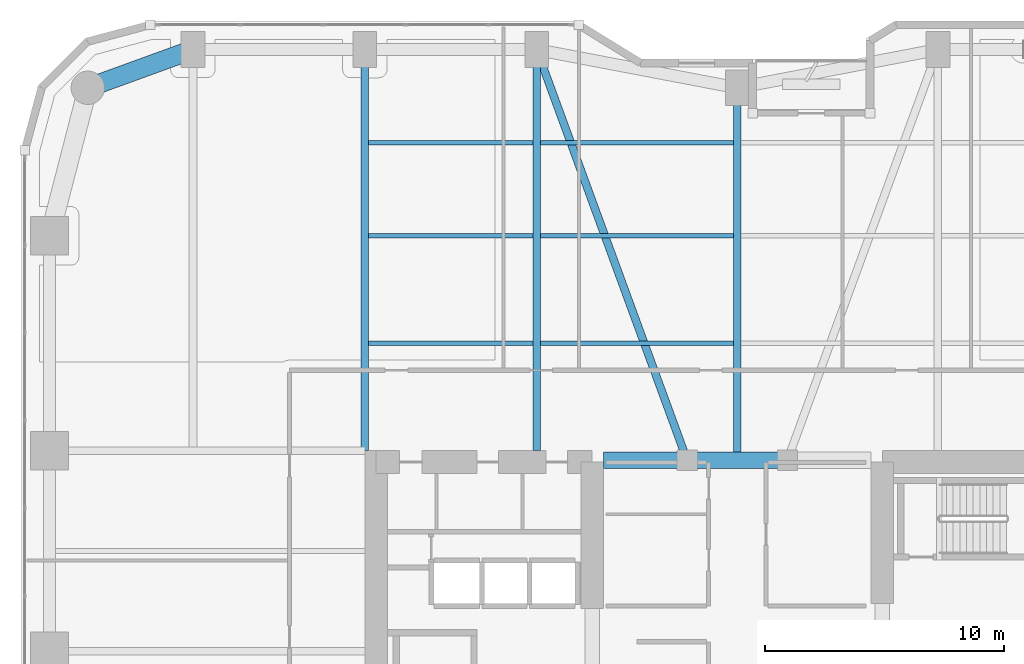
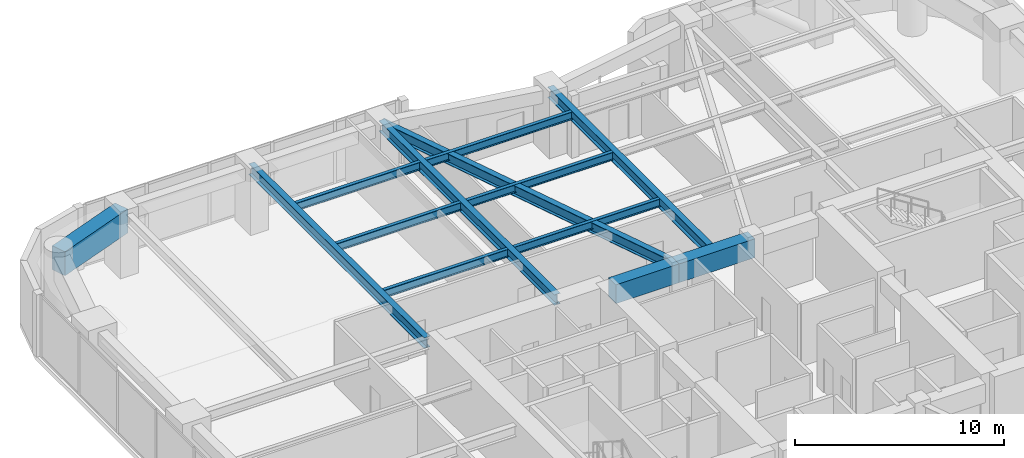
# One storey, part 12 of 24: 13 beams.
"""IFC4 building model written with IfcOpenShell, lengths in metres."""

from ifc_helpers import new_model, si_unit, direction, frame, origin, origin_2d, place, context, subcontext, project, spatial, rectangle, i_section, extrude, material, material_profile, profile_set, type_object, element, save


model = new_model("IFC4")

# Units and contexts
model_context = context("Model", 3, precision=1e-05, world=origin(), true_north=direction((0.0, 1.0)))
body_context = subcontext(model_context, "Body", "Model", "MODEL_VIEW")
ifc_project = project(units=[si_unit("LENGTHUNIT", "METRE"), si_unit("AREAUNIT", "SQUARE_METRE"), si_unit("VOLUMEUNIT", "CUBIC_METRE"), si_unit("PLANEANGLEUNIT", "RADIAN"), si_unit("MASSUNIT", "GRAM", prefix="KILO")], contexts=[model_context])

# Site, building, storey
site_placement = place(None, origin())
site = spatial("IfcSite", under=ifc_project, at=site_placement, CompositionType="ELEMENT")
building_placement = place(site_placement, origin())
building = spatial("IfcBuilding", under=site, at=building_placement, Name="Kiyonajd Concourse Tower", CompositionType="ELEMENT")
storey_placement = place(building_placement, frame((0.0, 0.0, 85.800048828125)))
storey = spatial("IfcBuildingStorey", under=building, at=storey_placement, Name="L22", CompositionType="ELEMENT", Elevation=85.800048828125)

# Beams
ifc_material_1 = material(Name="Concrete C70/85", Category="concrete")
ifc_material_profile_1 = material_profile(ifc_material_1, rectangle(XDim=0.699951171875, YDim=1.10009765625, at=origin_2d()), Name="RCBM-700x1100")
ifc_profile_set_1 = profile_set([ifc_material_profile_1], Name="Concrete C70/85")
beam_type_1 = type_object("IfcBeamType", Name="BM-COUP-1100", PredefinedType="LINTEL", material=ifc_profile_set_1)
beam_1_placement = place(storey_placement, frame((42.39990234375, 44.0, 3.08984375), z_axis=(1.0, 0.0, 0.0), x_axis=(0.0, 1.0, 0.0)))
element("IfcBeam", 1, at=beam_1_placement, inside=storey, type_object=beam_type_1, Name="L22 Core Coupling Beam N1", PredefinedType="LINTEL", context=body_context, shape_type="SweptSolid", body=[
    extrude(rectangle(XDim=0.699951171875, YDim=1.10009765625, at=origin_2d()), origin(), (0.0, 0.0, 1.0), 3.5),
])
beam_2_placement = place(storey_placement, frame((45.89990234375, 44.0, 3.08984375), z_axis=(1.0, 0.0, 0.0), x_axis=(0.0, 1.0, 0.0)))
element("IfcBeam", 2, at=beam_2_placement, inside=storey, type_object=beam_type_1, Name="L22 Core Coupling Beam N2", PredefinedType="LINTEL", context=body_context, shape_type="SweptSolid", body=[
    extrude(rectangle(XDim=0.699951171875, YDim=1.10009765625, at=origin_2d()), origin(), (0.0, 0.0, 1.0), 4.2001953125),
])
ifc_material_2 = material(Name="Steel ASTM A992 Grade 50", Category="steel")
ifc_material_profile_2 = material_profile(ifc_material_2, i_section(OverallWidth=0.19189453125, OverallDepth=0.462890625, WebThickness=0.010498046875, FlangeThickness=0.017578125, at=origin_2d()), Name="W460X89")
ifc_profile_set_2 = profile_set([ifc_material_profile_2], Name="Steel ASTM A992 Grade 50")
beam_type_2 = type_object("IfcBeamType", Name="BM-JST-460B", PredefinedType="JOIST", material=ifc_profile_set_2)
beam_3_placement = place(storey_placement, frame((32.5634765625, 48.89990234375, 3.408447265625), z_axis=(1.0, 0.0, 0.0), x_axis=(0.0, 1.0, 0.0)))
element("IfcBeam", 3, at=beam_3_placement, inside=storey, type_object=beam_type_2, Name="L22 Secondary Floor Joist", PredefinedType="JOIST", context=body_context, shape_type="SweptSolid", body=[
    extrude(i_section(OverallWidth=0.19189453125, OverallDepth=0.462890625, WebThickness=0.010498046875, FlangeThickness=0.017578125, at=origin_2d()), origin(), (0.0, 0.0, 1.0), 6.873046875),
])
beam_4_placement = place(storey_placement, frame((39.763427734375, 48.89990234375, 3.408447265625), z_axis=(1.0, 0.0, 0.0), x_axis=(0.0, 1.0, 0.0)))
element("IfcBeam", 4, at=beam_4_placement, inside=storey, type_object=beam_type_2, Name="L22 Secondary Floor Joist", PredefinedType="JOIST", context=body_context, shape_type="SweptSolid", body=[
    extrude(i_section(OverallWidth=0.19189453125, OverallDepth=0.462890625, WebThickness=0.010498046875, FlangeThickness=0.017578125, at=origin_2d()), origin(), (0.0, 0.0, 1.0), 8.072998046875),
])
beam_5_placement = place(storey_placement, frame((32.5634765625, 53.39990234375, 3.408447265625), z_axis=(1.0, 0.0, 0.0), x_axis=(0.0, 1.0, 0.0)))
element("IfcBeam", 5, at=beam_5_placement, inside=storey, type_object=beam_type_2, Name="L22 Secondary Floor Joist", PredefinedType="JOIST", context=body_context, shape_type="SweptSolid", body=[
    extrude(i_section(OverallWidth=0.19189453125, OverallDepth=0.462890625, WebThickness=0.010498046875, FlangeThickness=0.017578125, at=origin_2d()), origin(), (0.0, 0.0, 1.0), 6.873046875),
])
beam_6_placement = place(storey_placement, frame((39.763427734375, 53.39990234375, 3.408447265625), z_axis=(1.0, 0.0, 0.0), x_axis=(0.0, 1.0, 0.0)))
element("IfcBeam", 6, at=beam_6_placement, inside=storey, type_object=beam_type_2, Name="L22 Secondary Floor Joist", PredefinedType="JOIST", context=body_context, shape_type="SweptSolid", body=[
    extrude(i_section(OverallWidth=0.19189453125, OverallDepth=0.462890625, WebThickness=0.010498046875, FlangeThickness=0.017578125, at=origin_2d()), origin(), (0.0, 0.0, 1.0), 8.072998046875),
])
beam_7_placement = place(storey_placement, frame((32.5634765625, 57.300048828125, 3.408447265625), z_axis=(1.0, 0.0, 0.0), x_axis=(0.0, 1.0, 0.0)))
element("IfcBeam", 7, at=beam_7_placement, inside=storey, type_object=beam_type_2, Name="L22 Secondary Floor Joist", PredefinedType="JOIST", context=body_context, shape_type="SweptSolid", body=[
    extrude(i_section(OverallWidth=0.19189453125, OverallDepth=0.462890625, WebThickness=0.010498046875, FlangeThickness=0.017578125, at=origin_2d()), origin(), (0.0, 0.0, 1.0), 6.873046875),
])
beam_8_placement = place(storey_placement, frame((39.763427734375, 57.300048828125, 3.408447265625), z_axis=(1.0, 0.0, 0.0), x_axis=(0.0, 1.0, 0.0)))
element("IfcBeam", 8, at=beam_8_placement, inside=storey, type_object=beam_type_2, Name="L22 Secondary Floor Joist", PredefinedType="JOIST", context=body_context, shape_type="SweptSolid", body=[
    extrude(i_section(OverallWidth=0.19189453125, OverallDepth=0.462890625, WebThickness=0.010498046875, FlangeThickness=0.017578125, at=origin_2d()), origin(), (0.0, 0.0, 1.0), 8.072998046875),
])
ifc_material_profile_3 = material_profile(ifc_material_2, i_section(OverallWidth=0.326904296875, OverallDepth=0.6220703125, WebThickness=0.015380859375, FlangeThickness=0.0244140625, at=origin_2d()), Name="W610X195")
ifc_profile_set_3 = profile_set([ifc_material_profile_3], Name="Steel ASTM A992 Grade 50")
beam_type_3 = type_object("IfcBeamType", Name="BM-TWR-610A", PredefinedType="BEAM", material=ifc_profile_set_3)
beam_9_placement = place(storey_placement, frame((39.60009765625, 61.199951171875, 3.328857421875), z_axis=(0.343925269715, -0.938997022813, 0.0), x_axis=(0.938997022813, 0.343925269715, 0.0)))
element("IfcBeam", 9, at=beam_9_placement, inside=storey, type_object=beam_type_3, Name="L22 Core Tie Girder", PredefinedType="BEAM", context=body_context, shape_type="SweptSolid", body=[
    extrude(i_section(OverallWidth=0.326904296875, OverallDepth=0.6220703125, WebThickness=0.015380859375, FlangeThickness=0.0244140625, at=origin_2d()), origin(), (0.0, 0.0, 1.0), 18.3173828125),
])
for number, where, z_axis, x_axis, name in (
    (10, (32.39990234375, 44.39990234375, 3.328857421875), (0.0, 1.0, 0.0), (-1.0, 0.0, 0.0), "L22 North Lease Girder"),
    (11, (39.60009765625, 44.39990234375, 3.328857421875), (0.0, 1.0, 0.0), (-1.0, 0.0, 0.0), "L22 North Lease Girder"),
):
    element("IfcBeam", number, at=place(storey_placement, frame(where, z_axis=z_axis, x_axis=x_axis)), inside=storey, type_object=beam_type_3, Name=name, PredefinedType="BEAM", context=body_context, shape_type="SweptSolid", body=[
        extrude(i_section(OverallWidth=0.326904296875, OverallDepth=0.6220703125, WebThickness=0.015380859375, FlangeThickness=0.0244140625, at=origin_2d()), origin(), (0.0, 0.0, 1.0), 16.800048828125),
    ])
beam_10_placement = place(storey_placement, frame((48.0, 44.0, 3.328857421875), z_axis=(0.0, 1.0, 0.0), x_axis=(-1.0, 0.0, 0.0)))
element("IfcBeam", 12, at=beam_10_placement, inside=storey, type_object=beam_type_3, Name="L22 North Ribbon Girder", PredefinedType="BEAM", context=body_context, shape_type="SweptSolid", body=[
    extrude(i_section(OverallWidth=0.326904296875, OverallDepth=0.6220703125, WebThickness=0.015380859375, FlangeThickness=0.0244140625, at=origin_2d()), origin(), (0.0, 0.0, 1.0), 15.60009765625),
])
ifc_material_3 = material(Name="Concrete C60/75", Category="concrete")
ifc_material_profile_4 = material_profile(ifc_material_3, rectangle(XDim=0.800048828125, YDim=1.39990234375, at=origin_2d()), Name="RCBM-800x1400")
ifc_profile_set_4 = profile_set([ifc_material_profile_4], Name="Concrete C60/75")
beam_type_4 = type_object("IfcBeamType", Name="BM-XFER-RC", PredefinedType="BEAM", material=ifc_profile_set_4)
beam_11_placement = place(storey_placement, frame((25.199951171875, 61.199951171875, 2.93994140625), z_axis=(-0.939801036019, -0.341722127901, 0.0), x_axis=(0.341722127901, -0.939801036019, 0.0)))
element("IfcBeam", 13, at=beam_11_placement, inside=storey, type_object=beam_type_4, Name="L22 Perimeter Bundled Tube Spandrel", PredefinedType="BEAM", context=body_context, shape_type="SweptSolid", body=[
    extrude(rectangle(XDim=0.800048828125, YDim=1.39990234375, at=origin_2d()), origin(), (0.0, 0.0, 1.0), 4.681640625),
])

save(model, "model.ifc")
